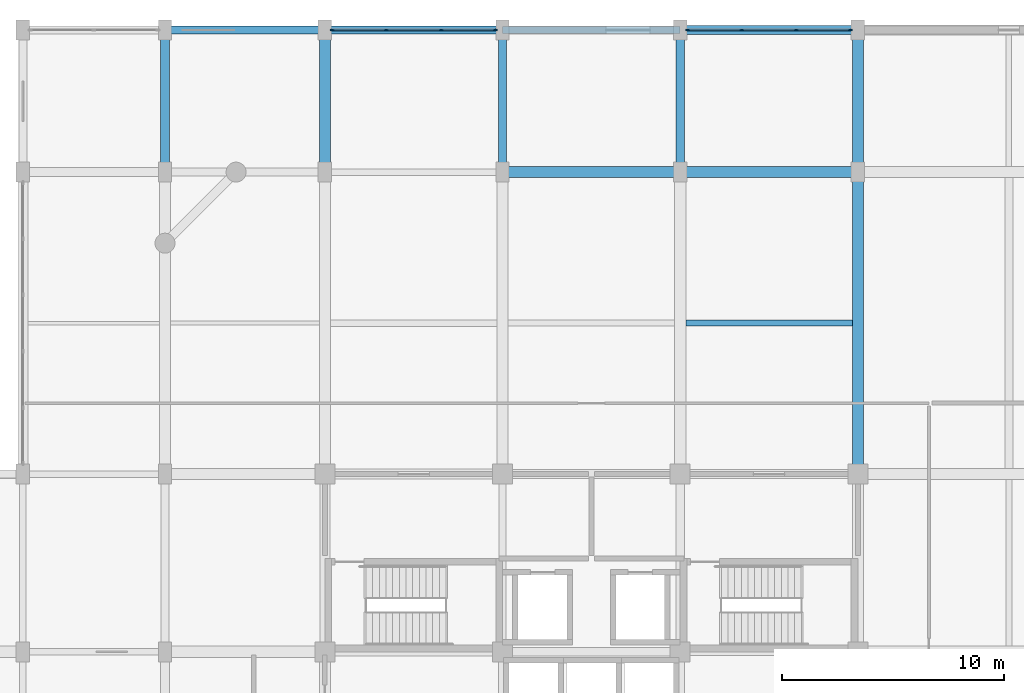
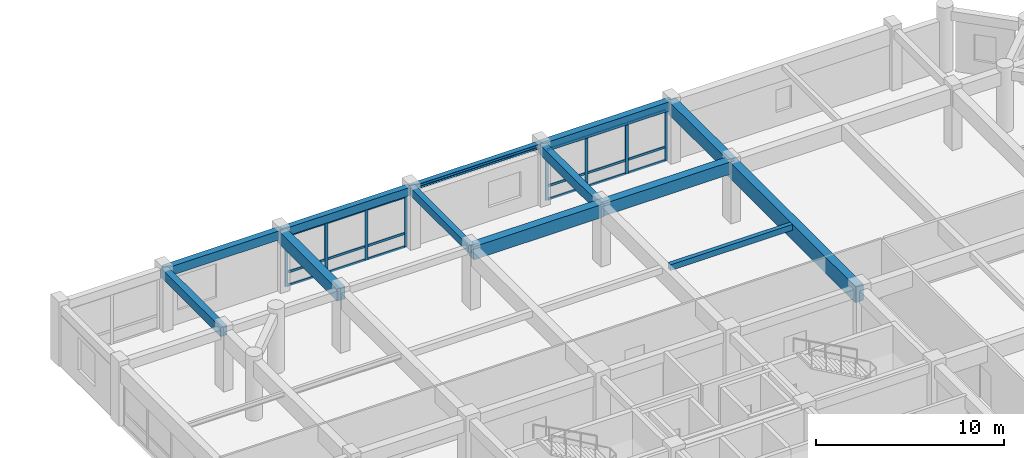
# One storey, part 15 of 35: 26 members, 13 beams, 2 elements without a shape of their own.
"""IFC4 building model written with IfcOpenShell, lengths in metres."""

from ifc_helpers import new_model, si_unit, direction, frame, origin, origin_2d, place, context, subcontext, project, spatial, rectangle, i_section, extrude, material, material_profile, profile_set, type_object, element, aggregate, save


model = new_model("IFC4")

# Units and contexts
model_context = context("Model", 3, precision=1e-05, world=origin(), true_north=direction((0.0, 1.0)))
body_context = subcontext(model_context, "Body", "Model", "MODEL_VIEW")
ifc_project = project(units=[si_unit("LENGTHUNIT", "METRE"), si_unit("AREAUNIT", "SQUARE_METRE"), si_unit("VOLUMEUNIT", "CUBIC_METRE"), si_unit("PLANEANGLEUNIT", "RADIAN"), si_unit("MASSUNIT", "GRAM", prefix="KILO")], contexts=[model_context])

# Site, building, storey
site_placement = place(None, origin())
site = spatial("IfcSite", under=ifc_project, at=site_placement, CompositionType="ELEMENT")
building_placement = place(site_placement, origin())
building = spatial("IfcBuilding", under=site, at=building_placement, Name="Vellmiral Cinema and Media Centre", CompositionType="ELEMENT")
storey_placement = place(building_placement, frame((0.0, 0.0, 15.60009765625)))
storey = spatial("IfcBuildingStorey", under=building, at=storey_placement, Name="L03", CompositionType="ELEMENT", Elevation=15.60009765625)

# Beams
ifc_material_1 = material(Name="Concrete C40/50", Category="concrete")
ifc_material_profile_1 = material_profile(ifc_material_1, rectangle(XDim=0.35009765625, YDim=0.5, at=origin_2d()), Name="RC 350x500")
ifc_profile_set_1 = profile_set([ifc_material_profile_1], Name="Concrete C40/50")
beam_type_1 = type_object("IfcBeamType", Name="BM-RC-350x500", PredefinedType="BEAM", material=ifc_profile_set_1)
beam_1_placement = place(storey_placement, frame((132.0, 108.800048828125, 3.64501953125), z_axis=(0.0, 1.0, 0.0), x_axis=(-1.0, 0.0, 0.0)))
element("IfcBeam", 1, at=beam_1_placement, inside=storey, type_object=beam_type_1, Name="Grid Beam L03-Y124", PredefinedType="BEAM", context=body_context, shape_type="SweptSolid", body=[
    extrude(rectangle(XDim=0.35009765625, YDim=0.5, at=origin_2d()), origin(), (0.0, 0.0, 1.0), 6.39990234375),
])
ifc_material_2 = material(Name="Concrete C40/50", Category="concrete")
ifc_material_profile_2 = material_profile(ifc_material_2, rectangle(XDim=0.39990234375, YDim=0.60009765625, at=origin_2d()), Name="RC 400x600")
ifc_profile_set_2 = profile_set([ifc_material_profile_2], Name="Concrete C40/50")
beam_type_2 = type_object("IfcBeamType", Name="BM-RC-400x600", PredefinedType="BEAM", material=ifc_profile_set_2)
beam_2_placement = place(storey_placement, frame((116.800048828125, 108.800048828125, 3.594970703125), z_axis=(0.0, 1.0, 0.0), x_axis=(-1.0, 0.0, 0.0)))
element("IfcBeam", 2, at=beam_2_placement, inside=storey, type_object=beam_type_2, Name="Grid Beam L03-Y110", PredefinedType="BEAM", context=body_context, shape_type="SweptSolid", body=[
    extrude(rectangle(XDim=0.39990234375, YDim=0.60009765625, at=origin_2d()), origin(), (0.0, 0.0, 1.0), 6.39990234375),
])
ifc_material_3 = material(Name="Concrete C40/50", Category="concrete")
ifc_material_profile_3 = material_profile(ifc_material_3, rectangle(XDim=0.39990234375, YDim=0.64990234375, at=origin_2d()), Name="RC 400x650")
ifc_profile_set_3 = profile_set([ifc_material_profile_3], Name="Concrete C40/50")
beam_type_3 = type_object("IfcBeamType", Name="BM-RC-400x650", PredefinedType="BEAM", material=ifc_profile_set_3)
beam_3_placement = place(storey_placement, frame((140.0, 108.800048828125, 3.56982421875), z_axis=(0.0, 1.0, 0.0), x_axis=(-1.0, 0.0, 0.0)))
element("IfcBeam", 3, at=beam_3_placement, inside=storey, type_object=beam_type_3, Name="Grid Beam L03-Y131", PredefinedType="BEAM", context=body_context, shape_type="SweptSolid", body=[
    extrude(rectangle(XDim=0.39990234375, YDim=0.64990234375, at=origin_2d()), origin(), (0.0, 0.0, 1.0), 6.39990234375),
])
ifc_material_4 = material(Name="Concrete C40/50", Category="concrete")
ifc_material_profile_4 = material_profile(ifc_material_4, rectangle(XDim=0.5, YDim=0.800048828125, at=origin_2d()), Name="RC 500x800")
ifc_profile_set_4 = profile_set([ifc_material_profile_4], Name="Concrete C40/50")
beam_type_4 = type_object("IfcBeamType", Name="BM-RC-500x800", PredefinedType="BEAM", material=ifc_profile_set_4)
beam_4_placement = place(storey_placement, frame((140.0, 108.800048828125, 3.494873046875), z_axis=(1.0, 0.0, 0.0), x_axis=(0.0, 1.0, 0.0)))
element("IfcBeam", 4, at=beam_4_placement, inside=storey, type_object=beam_type_4, Name="Grid Beam L03-X070", PredefinedType="BEAM", context=body_context, shape_type="SweptSolid", body=[
    extrude(rectangle(XDim=0.5, YDim=0.800048828125, at=origin_2d()), origin(), (0.0, 0.0, 1.0), 8.0),
])
beam_5_placement = place(storey_placement, frame((124.0, 108.800048828125, 3.494873046875), z_axis=(0.0, 1.0, 0.0), x_axis=(-1.0, 0.0, 0.0)))
element("IfcBeam", 5, at=beam_5_placement, inside=storey, type_object=beam_type_4, Name="Grid Beam L03-Y117", PredefinedType="BEAM", context=body_context, shape_type="SweptSolid", body=[
    extrude(rectangle(XDim=0.5, YDim=0.800048828125, at=origin_2d()), origin(), (0.0, 0.0, 1.0), 6.39990234375),
])
ifc_material_5 = material(Name="Concrete C40/50", Category="concrete")
ifc_material_profile_5 = material_profile(ifc_material_5, rectangle(XDim=0.5, YDim=0.85009765625, at=origin_2d()), Name="RC 500x850")
ifc_profile_set_5 = profile_set([ifc_material_profile_5], Name="Concrete C40/50")
beam_type_5 = type_object("IfcBeamType", Name="BM-RC-500x850", PredefinedType="BEAM", material=ifc_profile_set_5)
beam_6_placement = place(storey_placement, frame((132.0, 108.800048828125, 3.469970703125), z_axis=(1.0, 0.0, 0.0), x_axis=(0.0, 1.0, 0.0)))
element("IfcBeam", 6, at=beam_6_placement, inside=storey, type_object=beam_type_5, Name="Grid Beam L03-X069", PredefinedType="BEAM", context=body_context, shape_type="SweptSolid", body=[
    extrude(rectangle(XDim=0.5, YDim=0.85009765625, at=origin_2d()), origin(), (0.0, 0.0, 1.0), 8.0),
])
beam_7_placement = place(storey_placement, frame((148.0, 108.800048828125, 3.469970703125), z_axis=(0.0, 1.0, 0.0), x_axis=(-1.0, 0.0, 0.0)))
element("IfcBeam", 7, at=beam_7_placement, inside=storey, type_object=beam_type_5, Name="Grid Beam L03-Y138", PredefinedType="BEAM", context=body_context, shape_type="SweptSolid", body=[
    extrude(rectangle(XDim=0.5, YDim=0.85009765625, at=origin_2d()), origin(), (0.0, 0.0, 1.0), 6.39990234375),
])
ifc_material_6 = material(Name="Concrete C40/50", Category="concrete")
ifc_material_profile_6 = material_profile(ifc_material_6, rectangle(XDim=0.5, YDim=1.050048828125, at=origin_2d()), Name="RC 500x1050")
ifc_profile_set_6 = profile_set([ifc_material_profile_6], Name="Concrete C40/50")
beam_type_6 = type_object("IfcBeamType", Name="BM-RCG-500x1050", PredefinedType="BEAM", material=ifc_profile_set_6)
beam_8_placement = place(storey_placement, frame((148.0, 95.199951171875, 3.369873046875), z_axis=(0.0, 1.0, 0.0), x_axis=(-1.0, 0.0, 0.0)))
element("IfcBeam", 8, at=beam_8_placement, inside=storey, type_object=beam_type_6, Name="Grid Beam L03-Y137", PredefinedType="BEAM", context=body_context, shape_type="SweptSolid", body=[
    extrude(rectangle(XDim=0.5, YDim=1.050048828125, at=origin_2d()), origin(), (0.0, 0.0, 1.0), 13.60009765625),
])

# Curtain wall, members
ifc_material_7 = material(Name="Thermally Broken Aluminium and Triple Glazing", Category="aluminium")
curtain_wall_type = type_object("IfcCurtainWallType", Name="CW-LIB-BAY", PredefinedType="USERDEFINED", material=ifc_material_7)
curtain_wall_1_placement = place(storey_placement, origin())
curtain_wall_1 = element("IfcCurtainWall", 9, at=curtain_wall_1_placement, inside=storey, type_object=curtain_wall_type, Name="Curtain Wall L03-B030", ObjectType="STICK CURTAIN WALL", PredefinedType="USERDEFINED")
ifc_material_8 = material(Name="Thermally Broken Anodised Aluminium", Category="aluminium")
ifc_material_profile_7 = material_profile(ifc_material_8, rectangle(XDim=0.070068359375, YDim=0.179931640625, at=origin_2d()), Name="MULL 70x180")
ifc_profile_set_7 = profile_set([ifc_material_profile_7], Name="Thermally Broken Anodised Aluminium")
member_type_1 = type_object("IfcMemberType", Name="CWM-70x180", PredefinedType="MULLION", material=ifc_profile_set_7)
member_1_placement = place(storey_placement, frame((147.6650390625, 115.199951171875, 0.0), z_axis=(0.0, 0.0, 1.0), x_axis=(0.0, -1.0, 0.0)))
member_1 = element("IfcMember", 10, at=member_1_placement, type_object=member_type_1, Name="CW-03 mullion 1", PredefinedType="MULLION", context=body_context, shape_type="SweptSolid", body=[
    extrude(rectangle(XDim=0.070068359375, YDim=0.179931640625, at=origin_2d()), origin(), (0.0, 0.0, 1.0), 3.284912109375),
])
member_2_placement = place(storey_placement, frame((145.2333984375, 115.199951171875, 0.0), z_axis=(0.0, 0.0, 1.0), x_axis=(0.0, -1.0, 0.0)))
member_2 = element("IfcMember", 11, at=member_2_placement, type_object=member_type_1, Name="CW-03 mullion 2", PredefinedType="MULLION", context=body_context, shape_type="SweptSolid", body=[
    extrude(rectangle(XDim=0.070068359375, YDim=0.179931640625, at=origin_2d()), origin(), (0.0, 0.0, 1.0), 3.284912109375),
])
member_3_placement = place(storey_placement, frame((142.7666015625, 115.199951171875, 0.0), z_axis=(0.0, 0.0, 1.0), x_axis=(0.0, -1.0, 0.0)))
member_3 = element("IfcMember", 12, at=member_3_placement, type_object=member_type_1, Name="CW-03 mullion 3", PredefinedType="MULLION", context=body_context, shape_type="SweptSolid", body=[
    extrude(rectangle(XDim=0.070068359375, YDim=0.179931640625, at=origin_2d()), origin(), (0.0, 0.0, 1.0), 3.284912109375),
])
member_4_placement = place(storey_placement, frame((140.3349609375, 115.199951171875, 0.0), z_axis=(0.0, 0.0, 1.0), x_axis=(0.0, -1.0, 0.0)))
member_4 = element("IfcMember", 13, at=member_4_placement, type_object=member_type_1, Name="CW-03 mullion 4", PredefinedType="MULLION", context=body_context, shape_type="SweptSolid", body=[
    extrude(rectangle(XDim=0.070068359375, YDim=0.179931640625, at=origin_2d()), origin(), (0.0, 0.0, 1.0), 3.284912109375),
])

curtain_wall_2_placement = place(storey_placement, origin())
curtain_wall_2 = element("IfcCurtainWall", 14, at=curtain_wall_2_placement, inside=storey, type_object=curtain_wall_type, Name="Curtain Wall L03-B032", ObjectType="STICK CURTAIN WALL", PredefinedType="USERDEFINED")
member_5_placement = place(storey_placement, frame((131.6650390625, 115.199951171875, 0.0), z_axis=(0.0, 0.0, 1.0), x_axis=(0.0, -1.0, 0.0)))
member_5 = element("IfcMember", 15, at=member_5_placement, type_object=member_type_1, Name="CW-03 mullion 1", PredefinedType="MULLION", context=body_context, shape_type="SweptSolid", body=[
    extrude(rectangle(XDim=0.070068359375, YDim=0.179931640625, at=origin_2d()), origin(), (0.0, 0.0, 1.0), 3.2998046875),
])
member_6_placement = place(storey_placement, frame((129.2333984375, 115.199951171875, 0.0), z_axis=(0.0, 0.0, 1.0), x_axis=(0.0, -1.0, 0.0)))
member_6 = element("IfcMember", 16, at=member_6_placement, type_object=member_type_1, Name="CW-03 mullion 2", PredefinedType="MULLION", context=body_context, shape_type="SweptSolid", body=[
    extrude(rectangle(XDim=0.070068359375, YDim=0.179931640625, at=origin_2d()), origin(), (0.0, 0.0, 1.0), 3.2998046875),
])
member_7_placement = place(storey_placement, frame((126.7666015625, 115.199951171875, 0.0), z_axis=(0.0, 0.0, 1.0), x_axis=(0.0, -1.0, 0.0)))
member_7 = element("IfcMember", 17, at=member_7_placement, type_object=member_type_1, Name="CW-03 mullion 3", PredefinedType="MULLION", context=body_context, shape_type="SweptSolid", body=[
    extrude(rectangle(XDim=0.070068359375, YDim=0.179931640625, at=origin_2d()), origin(), (0.0, 0.0, 1.0), 3.2998046875),
])
member_8_placement = place(storey_placement, frame((124.3349609375, 115.199951171875, 0.0), z_axis=(0.0, 0.0, 1.0), x_axis=(0.0, -1.0, 0.0)))
member_8 = element("IfcMember", 18, at=member_8_placement, type_object=member_type_1, Name="CW-03 mullion 4", PredefinedType="MULLION", context=body_context, shape_type="SweptSolid", body=[
    extrude(rectangle(XDim=0.070068359375, YDim=0.179931640625, at=origin_2d()), origin(), (0.0, 0.0, 1.0), 3.2998046875),
])

# Member
ifc_material_9 = material(Name="Thermally Broken Anodised Aluminium", Category="aluminium")
ifc_material_profile_8 = material_profile(ifc_material_9, rectangle(XDim=0.070068359375, YDim=0.14990234375, at=origin_2d()), Name="MULL 70x150")
ifc_profile_set_8 = profile_set([ifc_material_profile_8], Name="Thermally Broken Anodised Aluminium")
member_type_2 = type_object("IfcMemberType", Name="CWT-70x150", PredefinedType="USERDEFINED", material=ifc_profile_set_8)
member_9_placement = place(storey_placement, frame((147.6298828125, 115.199951171875, 0.034912109375), z_axis=(-1.0, 0.0, 0.0), x_axis=(0.0, -1.0, 0.0)))
member_9 = element("IfcMember", 19, at=member_9_placement, type_object=member_type_2, Name="CW-03 transom 1.1", ObjectType="TRANSOM", PredefinedType="USERDEFINED", context=body_context, shape_type="SweptSolid", body=[
    extrude(rectangle(XDim=0.070068359375, YDim=0.14990234375, at=origin_2d()), origin(), (0.0, 0.0, 1.0), 2.361572265625),
])

member_10_placement = place(storey_placement, frame((147.6298828125, 115.199951171875, 0.89990234375), z_axis=(-1.0, 0.0, 0.0), x_axis=(0.0, -1.0, 0.0)))
member_10 = element("IfcMember", 20, at=member_10_placement, type_object=member_type_2, Name="CW-03 transom 1.2", ObjectType="TRANSOM", PredefinedType="USERDEFINED", context=body_context, shape_type="SweptSolid", body=[
    extrude(rectangle(XDim=0.070068359375, YDim=0.14990234375, at=origin_2d()), origin(), (0.0, 0.0, 1.0), 2.361572265625),
])

member_11_placement = place(storey_placement, frame((147.6298828125, 115.199951171875, 3.25), z_axis=(-1.0, 0.0, 0.0), x_axis=(0.0, -1.0, 0.0)))
member_11 = element("IfcMember", 21, at=member_11_placement, type_object=member_type_2, Name="CW-03 transom 1.3", ObjectType="TRANSOM", PredefinedType="USERDEFINED", context=body_context, shape_type="SweptSolid", body=[
    extrude(rectangle(XDim=0.070068359375, YDim=0.14990234375, at=origin_2d()), origin(), (0.0, 0.0, 1.0), 2.361572265625),
])

member_12_placement = place(storey_placement, frame((145.1982421875, 115.199951171875, 0.034912109375), z_axis=(-1.0, 0.0, 0.0), x_axis=(0.0, -1.0, 0.0)))
member_12 = element("IfcMember", 22, at=member_12_placement, type_object=member_type_2, Name="CW-03 transom 2.1", ObjectType="TRANSOM", PredefinedType="USERDEFINED", context=body_context, shape_type="SweptSolid", body=[
    extrude(rectangle(XDim=0.070068359375, YDim=0.14990234375, at=origin_2d()), origin(), (0.0, 0.0, 1.0), 2.396484375),
])

member_13_placement = place(storey_placement, frame((145.1982421875, 115.199951171875, 0.89990234375), z_axis=(-1.0, 0.0, 0.0), x_axis=(0.0, -1.0, 0.0)))
member_13 = element("IfcMember", 23, at=member_13_placement, type_object=member_type_2, Name="CW-03 transom 2.2", ObjectType="TRANSOM", PredefinedType="USERDEFINED", context=body_context, shape_type="SweptSolid", body=[
    extrude(rectangle(XDim=0.070068359375, YDim=0.14990234375, at=origin_2d()), origin(), (0.0, 0.0, 1.0), 2.396484375),
])

member_14_placement = place(storey_placement, frame((145.1982421875, 115.199951171875, 3.25), z_axis=(-1.0, 0.0, 0.0), x_axis=(0.0, -1.0, 0.0)))
member_14 = element("IfcMember", 24, at=member_14_placement, type_object=member_type_2, Name="CW-03 transom 2.3", ObjectType="TRANSOM", PredefinedType="USERDEFINED", context=body_context, shape_type="SweptSolid", body=[
    extrude(rectangle(XDim=0.070068359375, YDim=0.14990234375, at=origin_2d()), origin(), (0.0, 0.0, 1.0), 2.396484375),
])

member_15_placement = place(storey_placement, frame((142.731689453125, 115.199951171875, 0.034912109375), z_axis=(-1.0, 0.0, 0.0), x_axis=(0.0, -1.0, 0.0)))
member_15 = element("IfcMember", 25, at=member_15_placement, type_object=member_type_2, Name="CW-03 transom 3.1", ObjectType="TRANSOM", PredefinedType="USERDEFINED", context=body_context, shape_type="SweptSolid", body=[
    extrude(rectangle(XDim=0.070068359375, YDim=0.14990234375, at=origin_2d()), origin(), (0.0, 0.0, 1.0), 2.361572265625),
])

member_16_placement = place(storey_placement, frame((142.731689453125, 115.199951171875, 0.89990234375), z_axis=(-1.0, 0.0, 0.0), x_axis=(0.0, -1.0, 0.0)))
member_16 = element("IfcMember", 26, at=member_16_placement, type_object=member_type_2, Name="CW-03 transom 3.2", ObjectType="TRANSOM", PredefinedType="USERDEFINED", context=body_context, shape_type="SweptSolid", body=[
    extrude(rectangle(XDim=0.070068359375, YDim=0.14990234375, at=origin_2d()), origin(), (0.0, 0.0, 1.0), 2.361572265625),
])

member_17_placement = place(storey_placement, frame((142.731689453125, 115.199951171875, 3.25), z_axis=(-1.0, 0.0, 0.0), x_axis=(0.0, -1.0, 0.0)))
member_17 = element("IfcMember", 27, at=member_17_placement, type_object=member_type_2, Name="CW-03 transom 3.3", ObjectType="TRANSOM", PredefinedType="USERDEFINED", context=body_context, shape_type="SweptSolid", body=[
    extrude(rectangle(XDim=0.070068359375, YDim=0.14990234375, at=origin_2d()), origin(), (0.0, 0.0, 1.0), 2.361572265625),
])

aggregate(curtain_wall_1, [member_1, member_2, member_3, member_4, member_9, member_10, member_11, member_12, member_13, member_14, member_15, member_16, member_17])

member_18_placement = place(storey_placement, frame((131.6298828125, 115.199951171875, 0.034912109375), z_axis=(-1.0, 0.0, 0.0), x_axis=(0.0, -1.0, 0.0)))
member_18 = element("IfcMember", 28, at=member_18_placement, type_object=member_type_2, Name="CW-03 transom 1.1", ObjectType="TRANSOM", PredefinedType="USERDEFINED", context=body_context, shape_type="SweptSolid", body=[
    extrude(rectangle(XDim=0.070068359375, YDim=0.14990234375, at=origin_2d()), origin(), (0.0, 0.0, 1.0), 2.361572265625),
])

member_19_placement = place(storey_placement, frame((131.6298828125, 115.199951171875, 0.89990234375), z_axis=(-1.0, 0.0, 0.0), x_axis=(0.0, -1.0, 0.0)))
member_19 = element("IfcMember", 29, at=member_19_placement, type_object=member_type_2, Name="CW-03 transom 1.2", ObjectType="TRANSOM", PredefinedType="USERDEFINED", context=body_context, shape_type="SweptSolid", body=[
    extrude(rectangle(XDim=0.070068359375, YDim=0.14990234375, at=origin_2d()), origin(), (0.0, 0.0, 1.0), 2.361572265625),
])

member_20_placement = place(storey_placement, frame((131.6298828125, 115.199951171875, 3.264892578125), z_axis=(-1.0, 0.0, 0.0), x_axis=(0.0, -1.0, 0.0)))
member_20 = element("IfcMember", 30, at=member_20_placement, type_object=member_type_2, Name="CW-03 transom 1.3", ObjectType="TRANSOM", PredefinedType="USERDEFINED", context=body_context, shape_type="SweptSolid", body=[
    extrude(rectangle(XDim=0.070068359375, YDim=0.14990234375, at=origin_2d()), origin(), (0.0, 0.0, 1.0), 2.361572265625),
])

member_21_placement = place(storey_placement, frame((129.1982421875, 115.199951171875, 0.034912109375), z_axis=(-1.0, 0.0, 0.0), x_axis=(0.0, -1.0, 0.0)))
member_21 = element("IfcMember", 31, at=member_21_placement, type_object=member_type_2, Name="CW-03 transom 2.1", ObjectType="TRANSOM", PredefinedType="USERDEFINED", context=body_context, shape_type="SweptSolid", body=[
    extrude(rectangle(XDim=0.070068359375, YDim=0.14990234375, at=origin_2d()), origin(), (0.0, 0.0, 1.0), 2.396484375),
])

member_22_placement = place(storey_placement, frame((129.1982421875, 115.199951171875, 0.89990234375), z_axis=(-1.0, 0.0, 0.0), x_axis=(0.0, -1.0, 0.0)))
member_22 = element("IfcMember", 32, at=member_22_placement, type_object=member_type_2, Name="CW-03 transom 2.2", ObjectType="TRANSOM", PredefinedType="USERDEFINED", context=body_context, shape_type="SweptSolid", body=[
    extrude(rectangle(XDim=0.070068359375, YDim=0.14990234375, at=origin_2d()), origin(), (0.0, 0.0, 1.0), 2.396484375),
])

member_23_placement = place(storey_placement, frame((129.1982421875, 115.199951171875, 3.264892578125), z_axis=(-1.0, 0.0, 0.0), x_axis=(0.0, -1.0, 0.0)))
member_23 = element("IfcMember", 33, at=member_23_placement, type_object=member_type_2, Name="CW-03 transom 2.3", ObjectType="TRANSOM", PredefinedType="USERDEFINED", context=body_context, shape_type="SweptSolid", body=[
    extrude(rectangle(XDim=0.070068359375, YDim=0.14990234375, at=origin_2d()), origin(), (0.0, 0.0, 1.0), 2.396484375),
])

member_24_placement = place(storey_placement, frame((126.731689453125, 115.199951171875, 0.034912109375), z_axis=(-1.0, 0.0, 0.0), x_axis=(0.0, -1.0, 0.0)))
member_24 = element("IfcMember", 34, at=member_24_placement, type_object=member_type_2, Name="CW-03 transom 3.1", ObjectType="TRANSOM", PredefinedType="USERDEFINED", context=body_context, shape_type="SweptSolid", body=[
    extrude(rectangle(XDim=0.070068359375, YDim=0.14990234375, at=origin_2d()), origin(), (0.0, 0.0, 1.0), 2.361572265625),
])

member_25_placement = place(storey_placement, frame((126.731689453125, 115.199951171875, 0.89990234375), z_axis=(-1.0, 0.0, 0.0), x_axis=(0.0, -1.0, 0.0)))
member_25 = element("IfcMember", 35, at=member_25_placement, type_object=member_type_2, Name="CW-03 transom 3.2", ObjectType="TRANSOM", PredefinedType="USERDEFINED", context=body_context, shape_type="SweptSolid", body=[
    extrude(rectangle(XDim=0.070068359375, YDim=0.14990234375, at=origin_2d()), origin(), (0.0, 0.0, 1.0), 2.361572265625),
])

member_26_placement = place(storey_placement, frame((126.731689453125, 115.199951171875, 3.264892578125), z_axis=(-1.0, 0.0, 0.0), x_axis=(0.0, -1.0, 0.0)))
member_26 = element("IfcMember", 36, at=member_26_placement, type_object=member_type_2, Name="CW-03 transom 3.3", ObjectType="TRANSOM", PredefinedType="USERDEFINED", context=body_context, shape_type="SweptSolid", body=[
    extrude(rectangle(XDim=0.070068359375, YDim=0.14990234375, at=origin_2d()), origin(), (0.0, 0.0, 1.0), 2.361572265625),
])

aggregate(curtain_wall_2, [member_5, member_6, member_7, member_8, member_18, member_19, member_20, member_21, member_22, member_23, member_24, member_25, member_26])

# Beams
ifc_material_10 = material(Name="Concrete C40/50", Category="concrete")
ifc_material_profile_9 = material_profile(ifc_material_10, rectangle(XDim=0.260009765625, YDim=0.3798828125, at=origin_2d()), Name="RC 260x380")
ifc_profile_set_9 = profile_set([ifc_material_profile_9], Name="Concrete C40/50")
beam_type_7 = type_object("IfcBeamType", Name="JST-RC-260x380", PredefinedType="JOIST", material=ifc_profile_set_9)
beam_9_placement = place(storey_placement, frame((140.25, 102.0, 3.704833984375), z_axis=(1.0, 0.0, 0.0), x_axis=(0.0, 1.0, 0.0)))
element("IfcBeam", 37, at=beam_9_placement, inside=storey, type_object=beam_type_7, Name="Secondary Floor Joist L03-011", PredefinedType="JOIST", context=body_context, shape_type="SweptSolid", body=[
    extrude(rectangle(XDim=0.260009765625, YDim=0.3798828125, at=origin_2d()), origin(), (0.0, 0.0, 1.0), 7.5),
])
ifc_material_11 = material(Name="Steel S355", Category="steel")
ifc_material_profile_10 = material_profile(ifc_material_11, i_section(OverallWidth=0.300048828125, OverallDepth=0.300048828125, WebThickness=0.010986328125, FlangeThickness=0.01904296875, FilletRadius=0.027099609375, at=origin_2d()), Name="HEB 300")
ifc_profile_set_10 = profile_set([ifc_material_profile_10], Name="Steel S355")
beam_type_8 = type_object("IfcBeamType", Name="SBM-HEB300", PredefinedType="SPANDREL", material=ifc_profile_set_10)
beam_10_placement = place(storey_placement, frame((132.0, 115.199951171875, 3.744873046875), z_axis=(1.0, 0.0, 0.0), x_axis=(0.0, 1.0, 0.0)))
element("IfcBeam", 38, at=beam_10_placement, inside=storey, type_object=beam_type_8, Name="Grid Beam L03-X076", PredefinedType="SPANDREL", context=body_context, shape_type="SweptSolid", body=[
    extrude(i_section(OverallWidth=0.300048828125, OverallDepth=0.300048828125, WebThickness=0.010986328125, FlangeThickness=0.01904296875, FilletRadius=0.027099609375, at=origin_2d()), origin(), (0.0, 0.0, 1.0), 8.0),
])
ifc_material_12 = material(Name="Concrete C40/50", Category="concrete")
ifc_material_profile_11 = material_profile(ifc_material_12, rectangle(XDim=0.39990234375, YDim=0.60009765625, at=origin_2d()), Name="RC 400x600")
ifc_profile_set_11 = profile_set([ifc_material_profile_11], Name="Concrete C40/50")
beam_type_9 = type_object("IfcBeamType", Name="SPD-RC-400x600", PredefinedType="SPANDREL", material=ifc_profile_set_11)
beam_11_placement = place(storey_placement, frame((140.0, 115.199951171875, 3.594970703125), z_axis=(1.0, 0.0, 0.0), x_axis=(0.0, 1.0, 0.0)))
element("IfcBeam", 39, at=beam_11_placement, inside=storey, type_object=beam_type_9, Name="Grid Beam L03-X077", PredefinedType="SPANDREL", context=body_context, shape_type="SweptSolid", body=[
    extrude(rectangle(XDim=0.39990234375, YDim=0.60009765625, at=origin_2d()), origin(), (0.0, 0.0, 1.0), 8.0),
])
ifc_material_13 = material(Name="Vosges Red Sandstone Masonry", Category="masonry")
ifc_material_profile_12 = material_profile(ifc_material_13, rectangle(XDim=0.340087890625, YDim=0.52001953125, at=origin_2d()), Name="SAND 340x520")
ifc_profile_set_12 = profile_set([ifc_material_profile_12], Name="Vosges Red Sandstone Masonry")
beam_type_10 = type_object("IfcBeamType", Name="SPD-SAND-340x520", PredefinedType="SPANDREL", material=ifc_profile_set_12)
beam_12_placement = place(storey_placement, frame((124.0, 115.199951171875, 3.635009765625), z_axis=(1.0, 0.0, 0.0), x_axis=(0.0, 1.0, 0.0)))
element("IfcBeam", 40, at=beam_12_placement, inside=storey, type_object=beam_type_10, Name="Grid Beam L03-X075", PredefinedType="SPANDREL", context=body_context, shape_type="SweptSolid", body=[
    extrude(rectangle(XDim=0.340087890625, YDim=0.52001953125, at=origin_2d()), origin(), (0.0, 0.0, 1.0), 8.0),
])
ifc_material_14 = material(Name="Vosges Red Sandstone Masonry", Category="masonry")
ifc_material_profile_13 = material_profile(ifc_material_14, rectangle(XDim=0.3798828125, YDim=0.580078125, at=origin_2d()), Name="SAND 380x580")
ifc_profile_set_13 = profile_set([ifc_material_profile_13], Name="Vosges Red Sandstone Masonry")
beam_type_11 = type_object("IfcBeamType", Name="SPD-SAND-380x580", PredefinedType="SPANDREL", material=ifc_profile_set_13)
beam_13_placement = place(storey_placement, frame((116.800048828125, 115.199951171875, 3.60498046875), z_axis=(1.0, 0.0, 0.0), x_axis=(0.0, 1.0, 0.0)))
element("IfcBeam", 41, at=beam_13_placement, inside=storey, type_object=beam_type_11, Name="Grid Beam L03-X074", PredefinedType="SPANDREL", context=body_context, shape_type="SweptSolid", body=[
    extrude(rectangle(XDim=0.3798828125, YDim=0.580078125, at=origin_2d()), origin(), (0.0, 0.0, 1.0), 7.199951171875),
])

save(model, "model.ifc")
